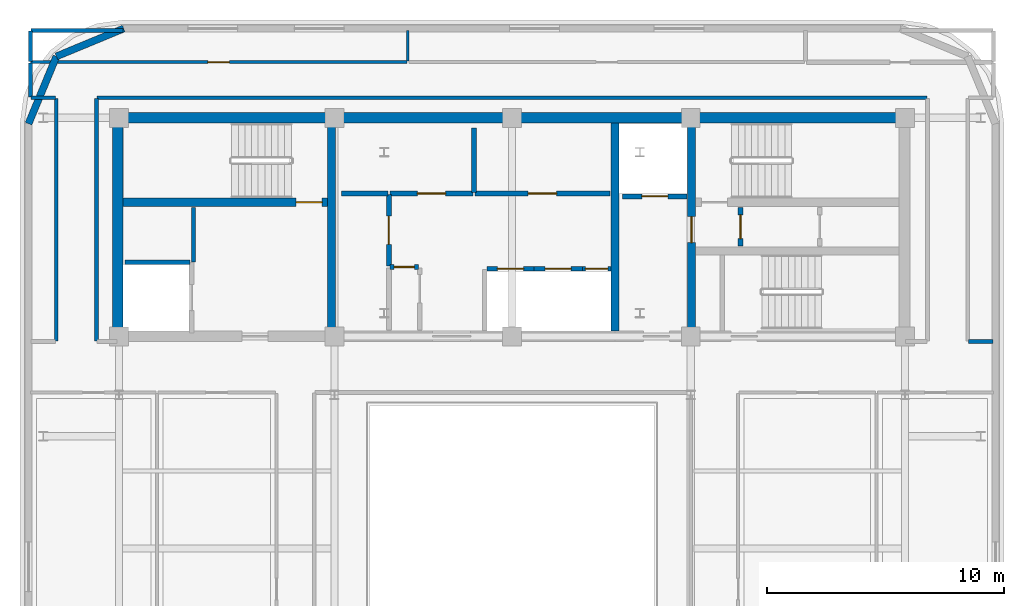
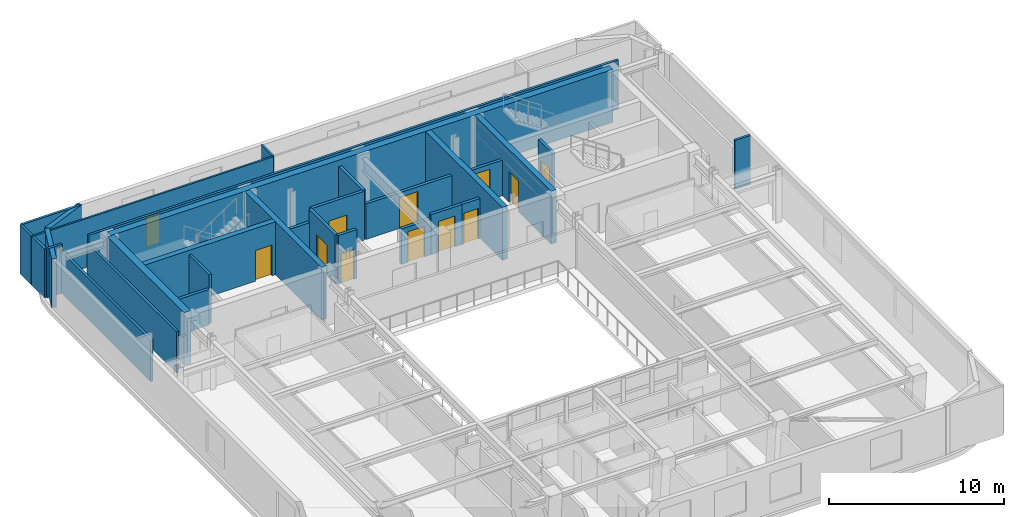
# One storey, part 7 of 11: 31 walls, 12 doors, 12 openings.
"""IFC4 building model written with IfcOpenShell, lengths in metres."""

from ifc_helpers import new_model, si_unit, direction, frame, frame_2d, origin, place, context, subcontext, project, spatial, rectangle, extrude, material, layer, layer_set, type_object, element, fill, save


model = new_model("IFC4")

# Units and contexts
model_context = context("Model", 3, precision=1e-05, world=origin(), true_north=direction((0.0, 1.0)))
body_context = subcontext(model_context, "Body", "Model", "MODEL_VIEW")
ifc_project = project(units=[si_unit("LENGTHUNIT", "METRE"), si_unit("AREAUNIT", "SQUARE_METRE"), si_unit("VOLUMEUNIT", "CUBIC_METRE"), si_unit("PLANEANGLEUNIT", "RADIAN"), si_unit("MASSUNIT", "GRAM", prefix="KILO")], contexts=[model_context])

# Site, building, storey
site_placement = place(None, origin())
site = spatial("IfcSite", under=ifc_project, at=site_placement, CompositionType="ELEMENT")
building_placement = place(site_placement, origin())
building = spatial("IfcBuilding", under=site, at=building_placement, Name="Zarnavel Station Tower", CompositionType="ELEMENT")
storey_placement = place(building_placement, frame((0.0, 0.0, 262.10009765625)))
storey = spatial("IfcBuildingStorey", under=building, at=storey_placement, Name="L71", CompositionType="ELEMENT", Elevation=262.10009765625)

# Walls
ifc_material_1 = material(Name="Concrete C50/60", Category="concrete")
ifc_layer_1 = layer(ifc_material_1, 0.35009765625)
ifc_layer_set_1 = layer_set([ifc_layer_1], Name="CW_350")
wall_type_1 = type_object("IfcWallType", Name="CW_350", PredefinedType="SHEAR", material=ifc_layer_set_1)
for number, where, z_axis, x_axis, name in (
    (1, (21.179931640625, 28.044921875, 0.0), (0.0, 0.0, 1.0), (0.0, 1.0, 0.0), "L71 Rear Core Shear Wall DIV-W"),
    (2, (33.14990234375, 28.044921875, 0.0), (0.0, 0.0, 1.0), (0.0, 1.0, 0.0), "L71 Rear Core Shear Wall DIV-E"),
):
    element("IfcWall", number, at=place(storey_placement, frame(where, z_axis=z_axis, x_axis=x_axis)), inside=storey, type_object=wall_type_1, Name=name, PredefinedType="SHEAR", context=body_context, shape_type="SweptSolid", body=[
        extrude(rectangle(XDim=8.780029296875, YDim=0.35009765625, at=frame_2d((4.39013671875, 0.0))), origin(), (0.0, 0.0, 1.0), 3.699951171875),
    ])

# Wall, opening, door
wall_1_placement = place(storey_placement, frame((36.3798828125, 28.044921875, 0.0), z_axis=(0.0, 0.0, 1.0), x_axis=(0.0, 1.0, 0.0)))
wall_1 = element("IfcWall", 3, at=wall_1_placement, inside=storey, type_object=wall_type_1, Name="L71 Rear Core Shear Wall DIV-S2", PredefinedType="SHEAR", context=body_context, shape_type="SweptSolid", body=[
    extrude(rectangle(XDim=8.780029296875, YDim=0.35009765625, at=frame_2d((4.39013671875, 0.0))), origin(), (0.0, 0.0, 1.0), 3.699951171875),
])
opening_1_placement = place(wall_1_placement, frame((3.735107421875, 0.0, 0.0)))
opening_1 = element("IfcOpeningElement", 4, at=opening_1_placement, cuts=wall_1, Name="Opening FD01", PredefinedType="OPENING", context=body_context, shape_type="SweptSolid", body=[
    extrude(rectangle(XDim=1.10009765625, YDim=2.14990234375, at=frame_2d((0.550048828125, 1.074951171875))), frame((0.0, 0.18505859375, 0.0), z_axis=(0.0, -1.0, 0.0), x_axis=(1.0, 0.0, 0.0)), (0.0, 0.0, 1.0), 0.3701171875),
])
ifc_material_2 = material(Name="Painted Galvanised Steel and Hardwood Leaf", Category="steel")
door_type_1 = type_object("IfcDoorType", Name="ID_STAIR_1100", OperationType="NOTDEFINED", PredefinedType="DOOR", material=ifc_material_2)
door_1_placement = place(opening_1_placement, origin())
door_1 = element("IfcDoor", 5, at=door_1_placement, inside=storey, type_object=door_type_1, Name="L71 East Stair Vestibule Fire Door", OperationType="SINGLE_SWING_LEFT", OverallHeight=2.14990234375, OverallWidth=1.10009765625, PredefinedType="DOOR", context=body_context, shape_type="SweptSolid", body=[
    extrude(rectangle(XDim=1.10009765625, YDim=2.14990234375, at=frame_2d((0.550048828125, 1.074951171875))), frame((0.0, 0.02490234375, 0.0), z_axis=(0.0, -1.0, 0.0), x_axis=(1.0, 0.0, 0.0)), (0.0, 0.0, 1.0), 0.050048828125),
])
fill(opening_1, door_1)

wall_2_placement = place(storey_placement, frame((21.0048828125, 33.47998046875, 0.0), z_axis=(0.0, 0.0, 1.0), x_axis=(-1.0, 0.0, 0.0)))
wall_2 = element("IfcWall", 6, at=wall_2_placement, inside=storey, type_object=wall_type_1, Name="L71 Rear Core Shear Wall DIV-H1", PredefinedType="SHEAR", context=body_context, shape_type="SweptSolid", body=[
    extrude(rectangle(XDim=8.6298828125, YDim=0.35009765625, at=frame_2d((4.31494140625, 0.0))), origin(), (0.0, 0.0, 1.0), 3.699951171875),
])
opening_2_placement = place(wall_2_placement, frame((0.219970703125, 0.0, 0.0)))
opening_2 = element("IfcOpeningElement", 7, at=opening_2_placement, cuts=wall_2, Name="Opening FD01", PredefinedType="OPENING", context=body_context, shape_type="SweptSolid", body=[
    extrude(rectangle(XDim=1.10009765625, YDim=2.14990234375, at=frame_2d((0.550048828125, 1.074951171875))), frame((0.0, 0.18505859375, 0.0), z_axis=(0.0, -1.0, 0.0), x_axis=(1.0, 0.0, 0.0)), (0.0, 0.0, 1.0), 0.3701171875),
])
door_2_placement = place(opening_2_placement, origin())
door_2 = element("IfcDoor", 8, at=door_2_placement, inside=storey, type_object=door_type_1, Name="L71 Stair ST1 Lobby Fire Door", OperationType="SINGLE_SWING_LEFT", OverallHeight=2.14990234375, OverallWidth=1.10009765625, PredefinedType="DOOR", context=body_context, shape_type="SweptSolid", body=[
    extrude(rectangle(XDim=1.10009765625, YDim=2.14990234375, at=frame_2d((0.550048828125, 1.074951171875))), frame((0.0, 0.02490234375, 0.0), z_axis=(0.0, -1.0, 0.0), x_axis=(1.0, 0.0, 0.0)), (0.0, 0.0, 1.0), 0.050048828125),
])
fill(opening_2, door_2)

# Walls
ifc_material_3 = material(Name="Concrete C50/60", Category="concrete")
ifc_layer_2 = layer(ifc_material_3, 0.449951171875)
ifc_layer_set_2 = layer_set([ifc_layer_2], Name="CW_450")
wall_type_2 = type_object("IfcWallType", Name="CW_450", PredefinedType="SHEAR", material=ifc_layer_set_2)
wall_3_placement = place(storey_placement, frame((12.14990234375, 37.050048828125, 0.0), z_axis=(0.0, 0.0, 1.0), x_axis=(1.0, 0.0, 0.0)))
element("IfcWall", 9, at=wall_3_placement, inside=storey, type_object=wall_type_2, Name="L71 Rear Core Shear Wall N", PredefinedType="SHEAR", context=body_context, shape_type="SweptSolid", body=[
    extrude(rectangle(XDim=33.22998046875, YDim=0.449951171875, at=frame_2d((16.614990234375, 0.0))), origin(), (0.0, 0.0, 1.0), 3.699951171875),
])
wall_4_placement = place(storey_placement, frame((12.14990234375, 28.044921875, 0.0), z_axis=(0.0, 0.0, 1.0), x_axis=(0.0, 1.0, 0.0)))
element("IfcWall", 10, at=wall_4_placement, inside=storey, type_object=wall_type_2, Name="L71 Rear Core Shear Wall W", PredefinedType="SHEAR", context=body_context, shape_type="SweptSolid", body=[
    extrude(rectangle(XDim=8.780029296875, YDim=0.449951171875, at=frame_2d((4.39013671875, 0.0))), origin(), (0.0, 0.0, 1.0), 3.699951171875),
])
ifc_material_4 = material(Name="Precast concrete C45/55 (Dark Basalt Finish)", Category="masonry")
ifc_layer_3 = layer(ifc_material_4, 0.300048828125)
ifc_layer_set_3 = layer_set([ifc_layer_3], Name="EW_BASALT_300")
wall_type_3 = type_object("IfcWallType", Name="EW_BASALT_300", PredefinedType="SOLIDWALL", material=ifc_layer_set_3)
for number, where, z_axis, x_axis, name in (
    (11, (9.557373046875, 39.642578125, 0.0), (0.0, 0.0, 1.0), (0.923870793506, 0.382704529509, 0.0), "L71 Exterior Basalt Masonry Frame Wall 07"),
    (12, (8.3798828125, 36.800048828125, 0.0), (0.0, 0.0, 1.0), (0.382704529509, 0.923870793506, 0.0), "L71 Exterior Basalt Masonry Frame Wall 08"),
):
    element("IfcWall", number, at=place(storey_placement, frame(where, z_axis=z_axis, x_axis=x_axis)), inside=storey, type_object=wall_type_3, Name=name, PredefinedType="SOLIDWALL", context=body_context, shape_type="SweptSolid", body=[
        extrude(rectangle(XDim=3.07666015625, YDim=0.300048828125, at=frame_2d((1.538330078125, 0.0))), origin(), (0.0, 0.0, 1.0), 3.419921875),
    ])
ifc_material_5 = material(Name="Gypsum Twin-Stud Acoustic Fire Partition", Category="concrete")
ifc_layer_4 = layer(ifc_material_5, 0.159912109375)
ifc_layer_set_4 = layer_set([ifc_layer_4], Name="PT_DEMISE_160")
wall_type_4 = type_object("IfcWallType", Name="PT_DEMISE_160", PredefinedType="PARTITIONING", material=ifc_layer_set_4)
wall_5_placement = place(storey_placement, frame((15.35009765625, 30.9599609375, 0.0), z_axis=(0.0, 0.0, 1.0), x_axis=(0.0, 1.0, 0.0)))
element("IfcWall", 13, at=wall_5_placement, inside=storey, type_object=wall_type_4, Name="L71 Enclosure Wall FFL1", PredefinedType="PARTITIONING", context=body_context, shape_type="SweptSolid", body=[
    extrude(rectangle(XDim=2.31005859375, YDim=0.159912109375, at=frame_2d((1.155029296875, 0.0))), origin(), (0.0, 0.0, 1.0), 3.419921875),
])
wall_6_placement = place(storey_placement, frame((48.080078125, 27.60009765625, 0.0), z_axis=(0.0, 0.0, 1.0), x_axis=(1.0, 0.0, 0.0)))
element("IfcWall", 14, at=wall_6_placement, inside=storey, type_object=wall_type_4, Name="L71 Enclosure Wall COR-S", PredefinedType="PARTITIONING", context=body_context, shape_type="SweptSolid", body=[
    extrude(rectangle(XDim=1.030029296875, YDim=0.159912109375, at=frame_2d((0.51513671875, 0.0))), origin(), (0.0, 0.0, 1.0), 3.419921875),
])
for number, where, z_axis, x_axis, name in (
    (15, (9.550048828125, 27.6298828125, 0.0), (0.0, 0.0, 1.0), (0.0, 1.0, 0.0), "L71 Enclosure Wall COR-W"),
    (16, (11.25, 27.6298828125, 0.0), (0.0, 0.0, 1.0), (0.0, 1.0, 0.0), "L71 Enclosure Wall COR-W"),
):
    element("IfcWall", number, at=place(storey_placement, frame(where, z_axis=z_axis, x_axis=x_axis)), inside=storey, type_object=wall_type_4, Name=name, PredefinedType="PARTITIONING", context=body_context, shape_type="SweptSolid", body=[
        extrude(rectangle(XDim=10.240234375, YDim=0.159912109375, at=frame_2d((5.1201171875, 0.0))), origin(), (0.0, 0.0, 1.0), 2.89990234375),
    ])
wall_7_placement = place(storey_placement, frame((8.489990234375, 37.89990234375, 0.0), z_axis=(0.0, 0.0, 1.0), x_axis=(1.0, 0.0, 0.0)))
element("IfcWall", 17, at=wall_7_placement, inside=storey, type_object=wall_type_4, Name="L71 Enclosure Wall COR-N", PredefinedType="PARTITIONING", context=body_context, shape_type="SweptSolid", body=[
    extrude(rectangle(XDim=1.030029296875, YDim=0.159912109375, at=frame_2d((0.51513671875, 0.0))), origin(), (0.0, 0.0, 1.0), 3.419921875),
])
wall_8_placement = place(storey_placement, frame((11.280029296875, 37.89990234375, 0.0), z_axis=(0.0, 0.0, 1.0), x_axis=(1.0, 0.0, 0.0)))
element("IfcWall", 18, at=wall_8_placement, inside=storey, type_object=wall_type_4, Name="L71 Enclosure Wall COR-N", PredefinedType="PARTITIONING", context=body_context, shape_type="SweptSolid", body=[
    extrude(rectangle(XDim=35.0400390625, YDim=0.159912109375, at=frame_2d((17.52001953125, 0.0))), origin(), (0.0, 0.0, 1.0), 3.419921875),
])
wall_9_placement = place(storey_placement, frame((8.4599609375, 37.929931640625, 0.0), z_axis=(0.0, 0.0, 1.0), x_axis=(0.0, 1.0, 0.0)))
element("IfcWall", 19, at=wall_9_placement, inside=storey, type_object=wall_type_4, Name="L71 Enclosure Wall COR-N", PredefinedType="PARTITIONING", context=body_context, shape_type="SweptSolid", body=[
    extrude(rectangle(XDim=1.440185546875, YDim=0.159912109375, at=frame_2d((0.72021484375, 0.0))), origin(), (0.0, 0.0, 1.0), 3.419921875),
])
wall_10_placement = place(storey_placement, frame((8.489990234375, 40.739990234375, 0.0), z_axis=(0.0, 0.0, 1.0), x_axis=(1.0, 0.0, 0.0)))
element("IfcWall", 20, at=wall_10_placement, inside=storey, type_object=wall_type_4, Name="L71 Enclosure Wall NLIB", PredefinedType="PARTITIONING", context=body_context, shape_type="SweptSolid", body=[
    extrude(rectangle(XDim=3.880126953125, YDim=0.159912109375, at=frame_2d((1.93994140625, 0.0))), origin(), (0.0, 0.0, 1.0), 3.419921875),
])
wall_11_placement = place(storey_placement, frame((8.4599609375, 39.429931640625, 0.0), z_axis=(0.0, 0.0, 1.0), x_axis=(0.0, 1.0, 0.0)))
element("IfcWall", 21, at=wall_11_placement, inside=storey, type_object=wall_type_4, Name="L71 Enclosure Wall NLIB", PredefinedType="PARTITIONING", context=body_context, shape_type="SweptSolid", body=[
    extrude(rectangle(XDim=1.280029296875, YDim=0.159912109375, at=frame_2d((0.64013671875, 0.0))), origin(), (0.0, 0.0, 1.0), 3.419921875),
])

# Wall, opening, door
ifc_material_6 = material(Name="Gypsum Metal-Stud Interior Partition", Category="concrete")
ifc_layer_5 = layer(ifc_material_6, 0.1201171875)
ifc_layer_set_5 = layer_set([ifc_layer_5], Name="PT_ROOM_120")
wall_type_5 = type_object("IfcWallType", Name="PT_ROOM_120", PredefinedType="PARTITIONING", material=ifc_layer_set_5)
wall_12_placement = place(storey_placement, frame((8.4599609375, 39.39990234375, 0.0), z_axis=(0.0, 0.0, 1.0), x_axis=(1.0, 0.0, 0.0)))
wall_12 = element("IfcWall", 22, at=wall_12_placement, inside=storey, type_object=wall_type_5, Name="L71 Partition COR-N-NLIB", PredefinedType="PARTITIONING", context=body_context, shape_type="SweptSolid", body=[
    extrude(rectangle(XDim=15.900146484375, YDim=0.1201171875, at=frame_2d((7.9501953125, 0.0))), origin(), (0.0, 0.0, 1.0), 3.419921875),
])
opening_3_placement = place(wall_12_placement, frame((7.5, 0.0, 0.0)))
opening_3 = element("IfcOpeningElement", 23, at=opening_3_placement, cuts=wall_12, Name="Opening ID01", PredefinedType="OPENING", context=body_context, shape_type="SweptSolid", body=[
    extrude(rectangle(XDim=0.89990234375, YDim=2.10009765625, at=frame_2d((0.449951171875, 1.050048828125))), frame((0.0, 0.070068359375, 0.0), z_axis=(0.0, -1.0, 0.0), x_axis=(1.0, 0.0, 0.0)), (0.0, 0.0, 1.0), 0.14013671875),
])
ifc_material_7 = material(Name="Painted Galvanised Steel and Hardwood Leaf", Category="steel")
door_type_2 = type_object("IfcDoorType", Name="ID_ROOM_900", OperationType="NOTDEFINED", PredefinedType="DOOR", material=ifc_material_7)
door_3_placement = place(opening_3_placement, origin())
door_3 = element("IfcDoor", 24, at=door_3_placement, inside=storey, type_object=door_type_2, Name="L71 Door COR-N-NLIB", OperationType="SINGLE_SWING_LEFT", OverallHeight=2.10009765625, OverallWidth=0.89990234375, PredefinedType="DOOR", context=body_context, shape_type="SweptSolid", body=[
    extrude(rectangle(XDim=0.89990234375, YDim=2.10009765625, at=frame_2d((0.449951171875, 1.050048828125))), frame((0.0, 0.02490234375, 0.0), z_axis=(0.0, -1.0, 0.0), x_axis=(1.0, 0.0, 0.0)), (0.0, 0.0, 1.0), 0.050048828125),
])
fill(opening_3, door_3)

# Walls
wall_13_placement = place(storey_placement, frame((24.39990234375, 39.43994140625, 0.0), z_axis=(0.0, 0.0, 1.0), x_axis=(0.0, 1.0, 0.0)))
element("IfcWall", 25, at=wall_13_placement, inside=storey, type_object=wall_type_5, Name="L71 Partition NLIB-NSPA", PredefinedType="PARTITIONING", context=body_context, shape_type="SweptSolid", body=[
    extrude(rectangle(XDim=1.300048828125, YDim=0.1201171875, at=frame_2d((0.64990234375, 0.0))), origin(), (0.0, 0.0, 1.0), 3.419921875),
])
ifc_material_8 = material(Name="Precast concrete C45/55 (Fire Shaft Blockwork)", Category="masonry")
ifc_layer_6 = layer(ifc_material_8, 0.199951171875)
ifc_layer_set_6 = layer_set([ifc_layer_6], Name="PT_SHAFT_200")
wall_type_6 = type_object("IfcWallType", Name="PT_SHAFT_200", PredefinedType="PARTITIONING", material=ifc_layer_set_6)
wall_14_placement = place(storey_placement, frame((12.449951171875, 30.949951171875, 0.0), z_axis=(0.0, 0.0, 1.0), x_axis=(1.0, 0.0, 0.0)))
element("IfcWall", 26, at=wall_14_placement, inside=storey, type_object=wall_type_6, Name="L71 Lift FFL-01 North Shaft Wall", PredefinedType="PARTITIONING", context=body_context, shape_type="SweptSolid", body=[
    extrude(rectangle(XDim=2.75, YDim=0.199951171875, at=frame_2d((1.375, 0.0))), origin(), (0.0, 0.0, 1.0), 2.489990234375),
])

# Wall, opening, door
wall_15_placement = place(storey_placement, frame((33.47509765625, 33.72998046875, 0.0), z_axis=(0.0, 0.0, 1.0), x_axis=(1.0, 0.0, 0.0)))
wall_15 = element("IfcWall", 27, at=wall_15_placement, inside=storey, type_object=wall_type_6, Name="L71 Lift FFL-02 Shaft Front Wall", PredefinedType="PARTITIONING", context=body_context, shape_type="SweptSolid", body=[
    extrude(rectangle(XDim=2.724853515625, YDim=0.199951171875, at=frame_2d((1.3623046875, 0.0))), origin(), (0.0, 0.0, 1.0), 2.489990234375),
])
opening_4_placement = place(wall_15_placement, frame((0.8125, 0.0, 0.0)))
opening_4 = element("IfcOpeningElement", 28, at=opening_4_placement, cuts=wall_15, Name="Opening LD01", PredefinedType="OPENING", context=body_context, shape_type="SweptSolid", body=[
    extrude(rectangle(XDim=1.10009765625, YDim=2.14990234375, at=frame_2d((0.550048828125, 1.074951171875))), frame((0.0, 0.10986328125, 0.0), z_axis=(0.0, -1.0, 0.0), x_axis=(1.0, 0.0, 0.0)), (0.0, 0.0, 1.0), 0.219970703125),
])
ifc_material_9 = material(Name="Painted Galvanised Steel and Hardwood Leaf", Category="steel")
door_type_3 = type_object("IfcDoorType", Name="LD_FF_1100", OperationType="DOUBLE_DOOR_SLIDING", PredefinedType="DOOR", material=ifc_material_9)
door_4_placement = place(opening_4_placement, origin())
door_4 = element("IfcDoor", 29, at=door_4_placement, inside=storey, type_object=door_type_3, Name="L71 Lift FFL-02 Sliding Landing Door", OperationType="DOUBLE_DOOR_SLIDING", OverallHeight=2.14990234375, OverallWidth=1.10009765625, PredefinedType="DOOR", context=body_context, shape_type="SweptSolid", body=[
    extrude(rectangle(XDim=1.10009765625, YDim=2.14990234375, at=frame_2d((0.550048828125, 1.074951171875))), frame((0.0, 0.02490234375, 0.0), z_axis=(0.0, -1.0, 0.0), x_axis=(1.0, 0.0, 0.0)), (0.0, 0.0, 1.0), 0.050048828125),
])
fill(opening_4, door_4)

wall_16_placement = place(storey_placement, frame((27.75, 30.669921875, 0.0), z_axis=(0.0, 0.0, 1.0), x_axis=(1.0, 0.0, 0.0)))
wall_16 = element("IfcWall", 30, at=wall_16_placement, inside=storey, type_object=wall_type_6, Name="L71 Lift PL-H1 Shaft Front Wall", PredefinedType="PARTITIONING", context=body_context, shape_type="SweptSolid", body=[
    extrude(rectangle(XDim=1.97509765625, YDim=0.199951171875, at=frame_2d((0.987548828125, 0.0))), origin(), (0.0, 0.0, 1.0), 2.489990234375),
])
opening_5_placement = place(wall_16_placement, frame((0.4375, 0.0, 0.0)))
opening_5 = element("IfcOpeningElement", 31, at=opening_5_placement, cuts=wall_16, Name="Opening LD02", PredefinedType="OPENING", context=body_context, shape_type="SweptSolid", body=[
    extrude(rectangle(XDim=1.10009765625, YDim=2.14990234375, at=frame_2d((0.550048828125, 1.074951171875))), frame((0.0, 0.10986328125, 0.0), z_axis=(0.0, -1.0, 0.0), x_axis=(1.0, 0.0, 0.0)), (0.0, 0.0, 1.0), 0.219970703125),
])
ifc_material_10 = material(Name="Painted Galvanised Steel and Hardwood Leaf", Category="steel")
door_type_4 = type_object("IfcDoorType", Name="LD_PAX_1100", OperationType="DOUBLE_DOOR_SLIDING", PredefinedType="DOOR", material=ifc_material_10)
door_5_placement = place(opening_5_placement, origin())
door_5 = element("IfcDoor", 32, at=door_5_placement, inside=storey, type_object=door_type_4, Name="L71 Lift PL-H1 Sliding Landing Door", OperationType="DOUBLE_DOOR_SLIDING", OverallHeight=2.14990234375, OverallWidth=1.10009765625, PredefinedType="DOOR", context=body_context, shape_type="SweptSolid", body=[
    extrude(rectangle(XDim=1.10009765625, YDim=2.14990234375, at=frame_2d((0.550048828125, 1.074951171875))), frame((0.0, 0.02490234375, 0.0), z_axis=(0.0, -1.0, 0.0), x_axis=(1.0, 0.0, 0.0)), (0.0, 0.0, 1.0), 0.050048828125),
])
fill(opening_5, door_5)

wall_17_placement = place(storey_placement, frame((29.72509765625, 30.669921875, 0.0), z_axis=(0.0, 0.0, 1.0), x_axis=(1.0, 0.0, 0.0)))
wall_17 = element("IfcWall", 33, at=wall_17_placement, inside=storey, type_object=wall_type_6, Name="L71 Lift PL-H2 Shaft Front Wall", PredefinedType="PARTITIONING", context=body_context, shape_type="SweptSolid", body=[
    extrude(rectangle(XDim=2.0498046875, YDim=0.199951171875, at=frame_2d((1.02490234375, 0.0))), origin(), (0.0, 0.0, 1.0), 2.7998046875),
])
opening_6_placement = place(wall_17_placement, frame((0.47509765625, 0.0, 0.0)))
opening_6 = element("IfcOpeningElement", 34, at=opening_6_placement, cuts=wall_17, Name="Opening LD02", PredefinedType="OPENING", context=body_context, shape_type="SweptSolid", body=[
    extrude(rectangle(XDim=1.10009765625, YDim=2.14990234375, at=frame_2d((0.550048828125, 1.074951171875))), frame((0.0, 0.10986328125, 0.0), z_axis=(0.0, -1.0, 0.0), x_axis=(1.0, 0.0, 0.0)), (0.0, 0.0, 1.0), 0.219970703125),
])
door_6_placement = place(opening_6_placement, origin())
door_6 = element("IfcDoor", 35, at=door_6_placement, inside=storey, type_object=door_type_4, Name="L71 Lift PL-H2 Sliding Landing Door", OperationType="DOUBLE_DOOR_SLIDING", OverallHeight=2.14990234375, OverallWidth=1.10009765625, PredefinedType="DOOR", context=body_context, shape_type="SweptSolid", body=[
    extrude(rectangle(XDim=1.10009765625, YDim=2.14990234375, at=frame_2d((0.550048828125, 1.074951171875))), frame((0.0, 0.02490234375, 0.0), z_axis=(0.0, -1.0, 0.0), x_axis=(1.0, 0.0, 0.0)), (0.0, 0.0, 1.0), 0.050048828125),
])
fill(opening_6, door_6)

wall_18_placement = place(storey_placement, frame((31.77490234375, 30.669921875, 0.0), z_axis=(0.0, 0.0, 1.0), x_axis=(1.0, 0.0, 0.0)))
wall_18 = element("IfcWall", 36, at=wall_18_placement, inside=storey, type_object=wall_type_6, Name="L71 Lift PL-H3 Shaft Front Wall", PredefinedType="PARTITIONING", context=body_context, shape_type="SweptSolid", body=[
    extrude(rectangle(XDim=1.2001953125, YDim=0.199951171875, at=frame_2d((0.60009765625, 0.0))), origin(), (0.0, 0.0, 1.0), 2.7998046875),
])
opening_7_placement = place(wall_18_placement, frame((0.125, 0.0, 0.0)))
opening_7 = element("IfcOpeningElement", 37, at=opening_7_placement, cuts=wall_18, Name="Opening LD03", PredefinedType="OPENING", context=body_context, shape_type="SweptSolid", body=[
    extrude(rectangle(XDim=0.949951171875, YDim=2.14990234375, at=frame_2d((0.47509765625, 1.074951171875))), frame((0.0, 0.10986328125, 0.0), z_axis=(0.0, -1.0, 0.0), x_axis=(1.0, 0.0, 0.0)), (0.0, 0.0, 1.0), 0.219970703125),
])
ifc_material_11 = material(Name="Painted Galvanised Steel and Hardwood Leaf", Category="steel")
door_type_5 = type_object("IfcDoorType", Name="LD_PAX_0950", OperationType="DOUBLE_DOOR_SLIDING", PredefinedType="DOOR", material=ifc_material_11)
door_7_placement = place(opening_7_placement, origin())
door_7 = element("IfcDoor", 38, at=door_7_placement, inside=storey, type_object=door_type_5, Name="L71 Lift PL-H3 Sliding Landing Door", OperationType="DOUBLE_DOOR_SLIDING", OverallHeight=2.14990234375, OverallWidth=0.949951171875, PredefinedType="DOOR", context=body_context, shape_type="SweptSolid", body=[
    extrude(rectangle(XDim=0.949951171875, YDim=2.14990234375, at=frame_2d((0.47509765625, 1.074951171875))), frame((0.0, 0.02490234375, 0.0), z_axis=(0.0, -1.0, 0.0), x_axis=(1.0, 0.0, 0.0)), (0.0, 0.0, 1.0), 0.050048828125),
])
fill(opening_7, door_7)

wall_19_placement = place(storey_placement, frame((38.449951171875, 31.639892578125, 0.0), z_axis=(0.0, 0.0, 1.0), x_axis=(0.0, 1.0, 0.0)))
wall_19 = element("IfcWall", 39, at=wall_19_placement, inside=storey, type_object=wall_type_6, Name="L71 Partition ESTV-CEA", PredefinedType="PARTITIONING", context=body_context, shape_type="SweptSolid", body=[
    extrude(rectangle(XDim=1.6201171875, YDim=0.199951171875, at=frame_2d((0.81005859375, 0.0))), origin(), (0.0, 0.0, 1.0), 3.419921875),
])
opening_8_placement = place(wall_19_placement, frame((0.31005859375, 0.0, 0.0)))
opening_8 = element("IfcOpeningElement", 40, at=opening_8_placement, cuts=wall_19, Name="Opening FD02", PredefinedType="OPENING", context=body_context, shape_type="SweptSolid", body=[
    extrude(rectangle(XDim=1.0, YDim=2.14990234375, at=frame_2d((0.5, 1.074951171875))), frame((0.0, 0.10986328125, 0.0), z_axis=(0.0, -1.0, 0.0), x_axis=(1.0, 0.0, 0.0)), (0.0, 0.0, 1.0), 0.219970703125),
])
ifc_material_12 = material(Name="Painted Galvanised Steel and Hardwood Leaf", Category="steel")
door_type_6 = type_object("IfcDoorType", Name="ID_ENTRY_1000", OperationType="NOTDEFINED", PredefinedType="DOOR", material=ifc_material_12)
door_8_placement = place(opening_8_placement, origin())
door_8 = element("IfcDoor", 41, at=door_8_placement, inside=storey, type_object=door_type_6, Name="L71 Door ESTV-CEA", OperationType="SINGLE_SWING_RIGHT", OverallHeight=2.14990234375, OverallWidth=1.0, PredefinedType="DOOR", context=body_context, shape_type="SweptSolid", body=[
    extrude(rectangle(XDim=1.0, YDim=2.14990234375, at=frame_2d((0.5, 1.074951171875))), frame((0.0, 0.02490234375, 0.0), z_axis=(0.0, -1.0, 0.0), x_axis=(1.0, 0.0, 0.0)), (0.0, 0.0, 1.0), 0.050048828125),
])
fill(opening_8, door_8)

wall_20_placement = place(storey_placement, frame((23.60009765625, 30.7900390625, 0.0), z_axis=(0.0, 0.0, 1.0), x_axis=(0.0, 1.0, 0.0)))
wall_20 = element("IfcWall", 42, at=wall_20_placement, inside=storey, type_object=wall_type_6, Name="L71 Partition LLOB-CS1", PredefinedType="PARTITIONING", context=body_context, shape_type="SweptSolid", body=[
    extrude(rectangle(XDim=3.02001953125, YDim=0.199951171875, at=frame_2d((1.510009765625, 0.0))), origin(), (0.0, 0.0, 1.0), 3.419921875),
])
opening_9_placement = place(wall_20_placement, frame((0.909912109375, 0.0, 0.0)))
opening_9 = element("IfcOpeningElement", 43, at=opening_9_placement, cuts=wall_20, Name="Opening FD03", PredefinedType="OPENING", context=body_context, shape_type="SweptSolid", body=[
    extrude(rectangle(XDim=1.199951171875, YDim=2.14990234375, at=frame_2d((0.60009765625, 1.074951171875))), frame((0.0, 0.10986328125, 0.0), z_axis=(0.0, -1.0, 0.0), x_axis=(1.0, 0.0, 0.0)), (0.0, 0.0, 1.0), 0.219970703125),
])
ifc_material_13 = material(Name="Painted Galvanised Steel and Hardwood Leaf", Category="steel")
door_type_7 = type_object("IfcDoorType", Name="ID_PLANT_1200", OperationType="NOTDEFINED", PredefinedType="DOOR", material=ifc_material_13)
door_9_placement = place(opening_9_placement, origin())
door_9 = element("IfcDoor", 44, at=door_9_placement, inside=storey, type_object=door_type_7, Name="L71 Door LLOB-CS1", OperationType="SINGLE_SWING_RIGHT", OverallHeight=2.14990234375, OverallWidth=1.199951171875, PredefinedType="DOOR", context=body_context, shape_type="SweptSolid", body=[
    extrude(rectangle(XDim=1.199951171875, YDim=2.14990234375, at=frame_2d((0.60009765625, 1.074951171875))), frame((0.0, 0.02490234375, 0.0), z_axis=(0.0, -1.0, 0.0), x_axis=(1.0, 0.0, 0.0)), (0.0, 0.0, 1.0), 0.050048828125),
])
fill(opening_9, door_9)

wall_21_placement = place(storey_placement, frame((23.639892578125, 30.75, 0.0), z_axis=(0.0, 0.0, 1.0), x_axis=(1.0, 0.0, 0.0)))
wall_21 = element("IfcWall", 45, at=wall_21_placement, inside=storey, type_object=wall_type_6, Name="L71 Partition LLOB-CS2", PredefinedType="PARTITIONING", context=body_context, shape_type="SweptSolid", body=[
    extrude(rectangle(XDim=1.22021484375, YDim=0.199951171875, at=frame_2d((0.610107421875, 0.0))), origin(), (0.0, 0.0, 1.0), 3.419921875),
])
opening_10_placement = place(wall_21_placement, frame((0.18505859375, 0.0, 0.0)))
opening_10 = element("IfcOpeningElement", 46, at=opening_10_placement, cuts=wall_21, Name="Opening ID02", PredefinedType="OPENING", context=body_context, shape_type="SweptSolid", body=[
    extrude(rectangle(XDim=0.85009765625, YDim=2.10009765625, at=frame_2d((0.425048828125, 1.050048828125))), frame((0.0, 0.10986328125, 0.0), z_axis=(0.0, -1.0, 0.0), x_axis=(1.0, 0.0, 0.0)), (0.0, 0.0, 1.0), 0.219970703125),
])
ifc_material_14 = material(Name="Painted Galvanised Steel and Hardwood Leaf", Category="steel")
door_type_8 = type_object("IfcDoorType", Name="ID_BATH_850", OperationType="NOTDEFINED", PredefinedType="DOOR", material=ifc_material_14)
door_10_placement = place(opening_10_placement, origin())
door_10 = element("IfcDoor", 47, at=door_10_placement, inside=storey, type_object=door_type_8, Name="L71 Door LLOB-CS2", OperationType="SINGLE_SWING_LEFT", OverallHeight=2.10009765625, OverallWidth=0.85009765625, PredefinedType="DOOR", context=body_context, shape_type="SweptSolid", body=[
    extrude(rectangle(XDim=0.85009765625, YDim=2.10009765625, at=frame_2d((0.425048828125, 1.050048828125))), frame((0.0, 0.02490234375, 0.0), z_axis=(0.0, -1.0, 0.0), x_axis=(1.0, 0.0, 0.0)), (0.0, 0.0, 1.0), 0.050048828125),
])
fill(opening_10, door_10)

wall_22_placement = place(storey_placement, frame((23.639892578125, 33.85009765625, 0.0), z_axis=(0.0, 0.0, 1.0), x_axis=(1.0, 0.0, 0.0)))
wall_22 = element("IfcWall", 48, at=wall_22_placement, inside=storey, type_object=wall_type_6, Name="L71 Partition LLOB-FB2A", PredefinedType="PARTITIONING", context=body_context, shape_type="SweptSolid", body=[
    extrude(rectangle(XDim=3.52001953125, YDim=0.199951171875, at=frame_2d((1.760009765625, 0.0))), origin(), (0.0, 0.0, 1.0), 3.419921875),
])
opening_11_placement = place(wall_22_placement, frame((1.159912109375, 0.0, 0.0)))
opening_11 = element("IfcOpeningElement", 49, at=opening_11_placement, cuts=wall_22, Name="Opening FD03", PredefinedType="OPENING", context=body_context, shape_type="SweptSolid", body=[
    extrude(rectangle(XDim=1.199951171875, YDim=2.14990234375, at=frame_2d((0.60009765625, 1.074951171875))), frame((0.0, 0.10986328125, 0.0), z_axis=(0.0, -1.0, 0.0), x_axis=(1.0, 0.0, 0.0)), (0.0, 0.0, 1.0), 0.219970703125),
])
door_11_placement = place(opening_11_placement, origin())
door_11 = element("IfcDoor", 50, at=door_11_placement, inside=storey, type_object=door_type_7, Name="L71 Door LLOB-FB2A", OperationType="SINGLE_SWING_RIGHT", OverallHeight=2.14990234375, OverallWidth=1.199951171875, PredefinedType="DOOR", context=body_context, shape_type="SweptSolid", body=[
    extrude(rectangle(XDim=1.199951171875, YDim=2.14990234375, at=frame_2d((0.60009765625, 1.074951171875))), frame((0.0, 0.02490234375, 0.0), z_axis=(0.0, -1.0, 0.0), x_axis=(1.0, 0.0, 0.0)), (0.0, 0.0, 1.0), 0.050048828125),
])
fill(opening_11, door_11)

wall_23_placement = place(storey_placement, frame((27.239990234375, 33.85009765625, 0.0), z_axis=(0.0, 0.0, 1.0), x_axis=(1.0, 0.0, 0.0)))
wall_23 = element("IfcWall", 51, at=wall_23_placement, inside=storey, type_object=wall_type_6, Name="L71 Partition LLOB-FB2B", PredefinedType="PARTITIONING", context=body_context, shape_type="SweptSolid", body=[
    extrude(rectangle(XDim=5.68994140625, YDim=0.199951171875, at=frame_2d((2.844970703125, 0.0))), origin(), (0.0, 0.0, 1.0), 2.489990234375),
])
opening_12_placement = place(wall_23_placement, frame((2.2451171875, 0.0, 0.0)))
opening_12 = element("IfcOpeningElement", 52, at=opening_12_placement, cuts=wall_23, Name="Opening FD03", PredefinedType="OPENING", context=body_context, shape_type="SweptSolid", body=[
    extrude(rectangle(XDim=1.199951171875, YDim=2.14990234375, at=frame_2d((0.60009765625, 1.074951171875))), frame((0.0, 0.10986328125, 0.0), z_axis=(0.0, -1.0, 0.0), x_axis=(1.0, 0.0, 0.0)), (0.0, 0.0, 1.0), 0.219970703125),
])
door_12_placement = place(opening_12_placement, origin())
door_12 = element("IfcDoor", 53, at=door_12_placement, inside=storey, type_object=door_type_7, Name="L71 Door LLOB-FB2B", OperationType="SINGLE_SWING_LEFT", OverallHeight=2.14990234375, OverallWidth=1.199951171875, PredefinedType="DOOR", context=body_context, shape_type="SweptSolid", body=[
    extrude(rectangle(XDim=1.199951171875, YDim=2.14990234375, at=frame_2d((0.60009765625, 1.074951171875))), frame((0.0, 0.02490234375, 0.0), z_axis=(0.0, -1.0, 0.0), x_axis=(1.0, 0.0, 0.0)), (0.0, 0.0, 1.0), 0.050048828125),
])
fill(opening_12, door_12)

# Walls
wall_24_placement = place(storey_placement, frame((21.590087890625, 33.85009765625, 0.0), z_axis=(0.0, 0.0, 1.0), x_axis=(1.0, 0.0, 0.0)))
element("IfcWall", 54, at=wall_24_placement, inside=storey, type_object=wall_type_6, Name="L71 Partition CS1-FB2A", PredefinedType="PARTITIONING", context=body_context, shape_type="SweptSolid", body=[
    extrude(rectangle(XDim=1.969970703125, YDim=0.199951171875, at=frame_2d((0.98486328125, 0.0))), origin(), (0.0, 0.0, 1.0), 2.489990234375),
])
wall_25_placement = place(storey_placement, frame((27.199951171875, 33.889892578125, 0.0), z_axis=(0.0, 0.0, 1.0), x_axis=(0.0, 1.0, 0.0)))
element("IfcWall", 55, at=wall_25_placement, inside=storey, type_object=wall_type_6, Name="L71 Partition FB2A-FB2B", PredefinedType="PARTITIONING", context=body_context, shape_type="SweptSolid", body=[
    extrude(rectangle(XDim=2.72021484375, YDim=0.199951171875, at=frame_2d((1.360107421875, 0.0))), origin(), (0.0, 0.0, 1.0), 3.419921875),
])

save(model, "model.ifc")
